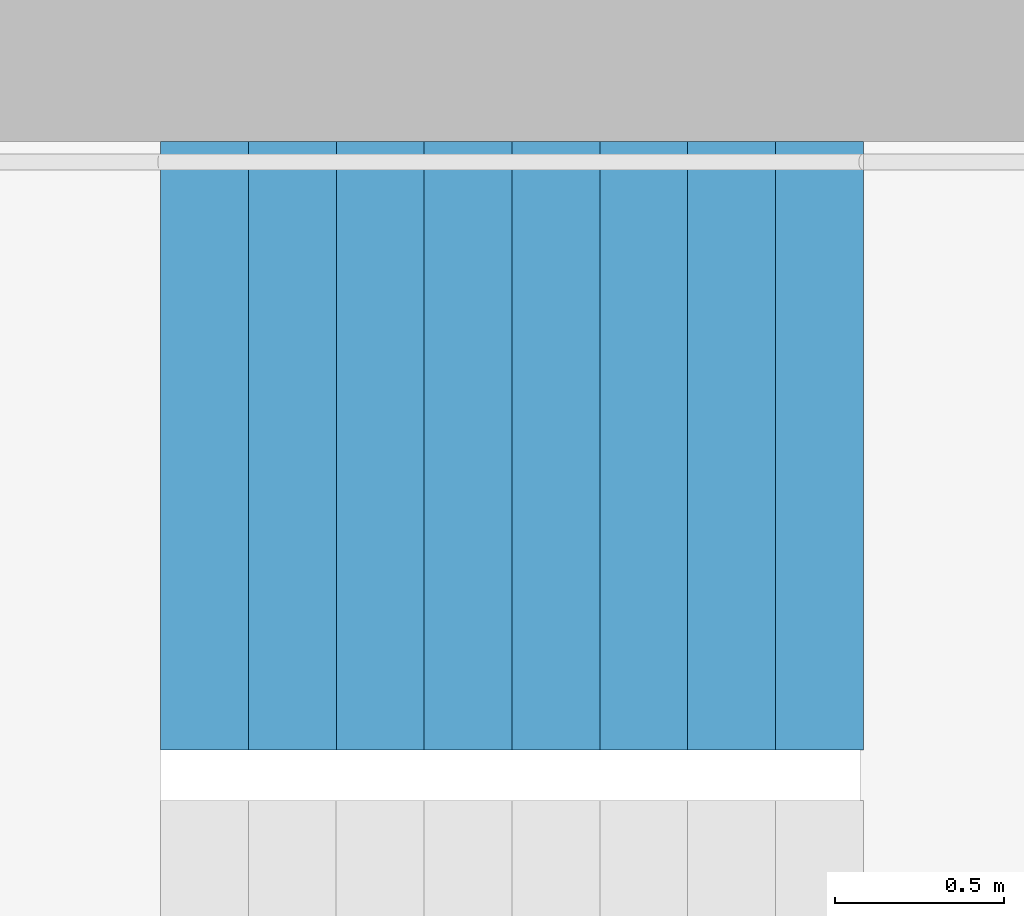
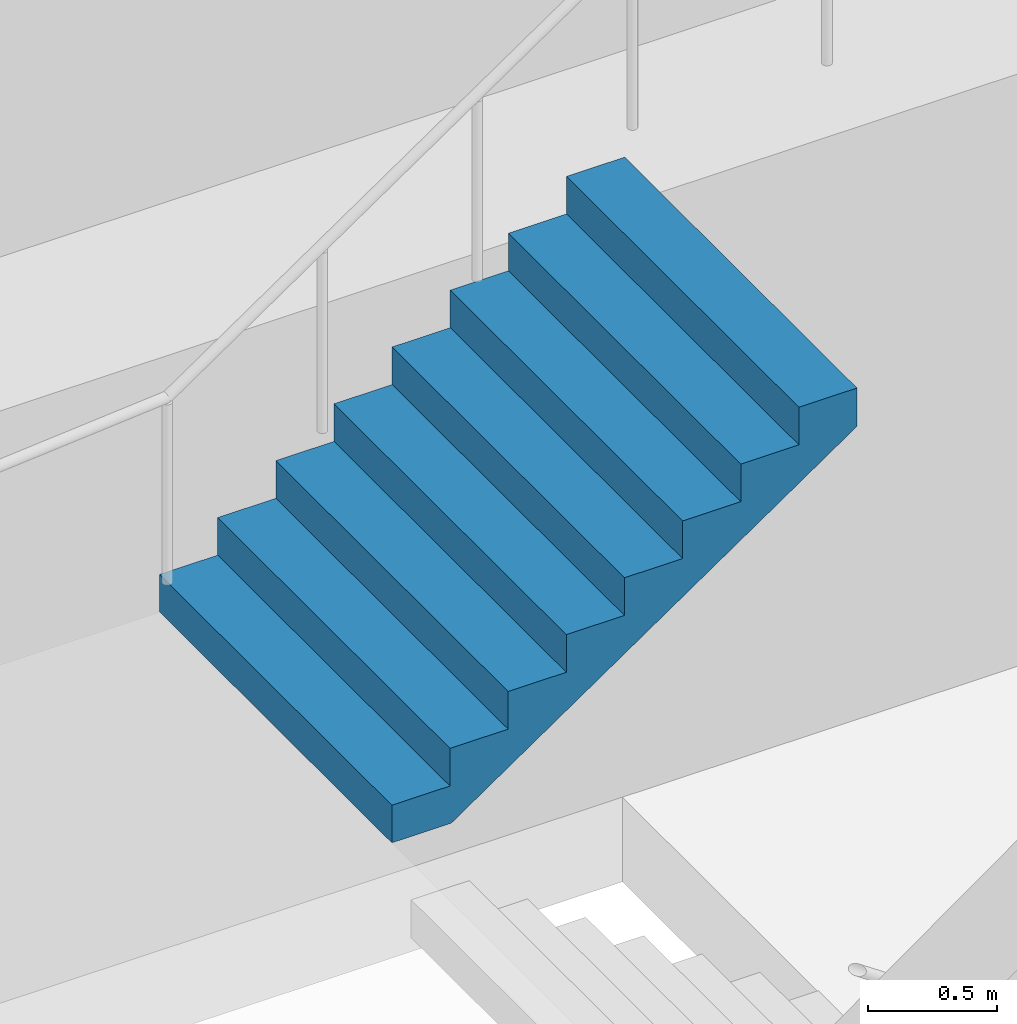
# One storey, part 27 of 28: 1 stair flight, 1 element without a shape of its own.
"""IFC4 building model written with IfcOpenShell, lengths in metres."""

from ifc_helpers import new_model, si_unit, direction, frame, origin, place, context, subcontext, project, spatial, triangles, material, type_object, element, aggregate, save


model = new_model("IFC4")

# Units and contexts
model_context = context("Model", 3, precision=1e-05, world=origin(), true_north=direction((0.0, 1.0)))
body_context = subcontext(model_context, "Body", "Model", "MODEL_VIEW")
ifc_project = project(units=[si_unit("LENGTHUNIT", "METRE"), si_unit("AREAUNIT", "SQUARE_METRE"), si_unit("VOLUMEUNIT", "CUBIC_METRE"), si_unit("PLANEANGLEUNIT", "RADIAN"), si_unit("MASSUNIT", "GRAM", prefix="KILO")], contexts=[model_context])

# Site, building, storey
site_placement = place(None, origin())
site = spatial("IfcSite", under=ifc_project, at=site_placement, CompositionType="ELEMENT")
building_placement = place(site_placement, origin())
building = spatial("IfcBuilding", under=site, at=building_placement, Name="Hakoniwa Tower and Hamabe Station Hall", CompositionType="ELEMENT")
storey_placement = place(building_placement, frame((0.0, 0.0, 58.199951171875)))
storey = spatial("IfcBuildingStorey", under=building, at=storey_placement, Name="L16", CompositionType="ELEMENT", Elevation=58.199951171875)

# Stair, stair flight
ifc_material_1 = material(Name="Concrete C40", Category="concrete")
stair_type = type_object("IfcStairType", Name="ESCAPE STAIR 1800", PredefinedType="HALF_TURN_STAIR", material=ifc_material_1)
stair_placement = place(storey_placement, origin())
stair = element("IfcStair", 1, at=stair_placement, inside=storey, type_object=stair_type, Name="Escape stair ST-3 L16", PredefinedType="HALF_TURN_STAIR")
ifc_material_2 = material(Name="Concrete C40", Category="concrete")
stair_flight_type = type_object("IfcStairFlightType", Name="STAIR FLIGHT 1800", PredefinedType="STRAIGHT", material=ifc_material_2)
stair_flight_placement = place(storey_placement, frame((22.320068359375, 6.60009765625, 1.60009765625), z_axis=(0.0, 0.0, 1.0), x_axis=(1.0, 0.0, 0.0)))
stair_flight = element("IfcStairFlight", 2, at=stair_flight_placement, type_object=stair_flight_type, Name="ST-3 flight 2", NumberOfRisers=9, NumberOfTreads=8, PredefinedType="STRAIGHT", RiserHeight=0.177777778, TreadLength=0.26, context=body_context, shape_type="Tessellation", body=[
    triangles([(0.0, 0.89990234375, 0.0), (0.260009765625, 0.89990234375, 0.0), (0.265625, 0.89990234375, 0.0), (0.52001953125, 0.89990234375, 0.174072265625), (0.780029296875, 0.89990234375, 0.351806640625), (1.0400390625, 0.89990234375, 0.529541015625), (1.300048828125, 0.89990234375, 0.707275390625), (1.56005859375, 0.89990234375, 0.885009765625), (1.820068359375, 0.89990234375, 1.062744140625), (2.080078125, 0.89990234375, 1.24072265625), (2.080078125, 0.89990234375, 1.422119140625), (1.820068359375, 0.89990234375, 1.422119140625), (1.820068359375, 0.89990234375, 1.244384765625), (1.56005859375, 0.89990234375, 1.244384765625), (1.56005859375, 0.89990234375, 1.066650390625), (1.300048828125, 0.89990234375, 1.066650390625), (1.300048828125, 0.89990234375, 0.888916015625), (1.0400390625, 0.89990234375, 0.888916015625), (1.0400390625, 0.89990234375, 0.711181640625), (0.780029296875, 0.89990234375, 0.711181640625), (0.780029296875, 0.89990234375, 0.533447265625), (0.52001953125, 0.89990234375, 0.533447265625), (0.52001953125, 0.89990234375, 0.35546875), (0.265625, 0.89990234375, 0.35546875), (0.260009765625, 0.89990234375, 0.35546875), (0.260009765625, 0.89990234375, 0.177734375), (0.0, 0.89990234375, 0.177734375), (0.0, 0.06005859375, 0.0), (0.260009765625, 0.06005859375, 0.0), (0.265625, 0.06005859375, 0.0), (0.52001953125, 0.06005859375, 0.174072265625), (0.780029296875, 0.06005859375, 0.351806640625), (1.0400390625, 0.06005859375, 0.529541015625), (1.300048828125, 0.06005859375, 0.707275390625), (1.56005859375, 0.06005859375, 0.885009765625), (1.820068359375, 0.06005859375, 1.062744140625), (2.080078125, 0.06005859375, 1.24072265625), (2.080078125, 0.06005859375, 1.422119140625), (1.820068359375, 0.06005859375, 1.422119140625), (1.820068359375, 0.06005859375, 1.244384765625), (1.56005859375, 0.06005859375, 1.244384765625), (1.56005859375, 0.06005859375, 1.066650390625), (1.300048828125, 0.06005859375, 1.066650390625), (1.300048828125, 0.06005859375, 0.888916015625), (1.0400390625, 0.06005859375, 0.888916015625), (1.0400390625, 0.06005859375, 0.711181640625), (0.780029296875, 0.06005859375, 0.711181640625), (0.780029296875, 0.06005859375, 0.533447265625), (0.52001953125, 0.06005859375, 0.533447265625), (0.52001953125, 0.06005859375, 0.35546875), (0.265625, 0.06005859375, 0.35546875), (0.260009765625, 0.06005859375, 0.35546875), (0.260009765625, 0.06005859375, 0.177734375), (0.0, 0.06005859375, 0.177734375), (0.0, 0.04296875, 0.0), (0.260009765625, 0.04296875, 0.0), (0.265625, 0.04296875, 0.0), (0.52001953125, 0.04296875, 0.174072265625), (0.780029296875, 0.04296875, 0.351806640625), (1.0400390625, 0.04296875, 0.529541015625), (1.300048828125, 0.04296875, 0.707275390625), (1.56005859375, 0.04296875, 0.885009765625), (1.820068359375, 0.04296875, 1.062744140625), (2.080078125, 0.04296875, 1.24072265625), (2.080078125, 0.04296875, 1.422119140625), (1.820068359375, 0.04296875, 1.422119140625), (1.820068359375, 0.04296875, 1.244384765625), (1.56005859375, 0.04296875, 1.244384765625), (1.56005859375, 0.04296875, 1.066650390625), (1.300048828125, 0.04296875, 1.066650390625), (1.300048828125, 0.04296875, 0.888916015625), (1.0400390625, 0.04296875, 0.888916015625), (1.0400390625, 0.04296875, 0.711181640625), (0.780029296875, 0.04296875, 0.711181640625), (0.780029296875, 0.04296875, 0.533447265625), (0.52001953125, 0.04296875, 0.533447265625), (0.52001953125, 0.04296875, 0.35546875), (0.265625, 0.04296875, 0.35546875), (0.260009765625, 0.04296875, 0.35546875), (0.260009765625, 0.04296875, 0.177734375), (0.0, 0.04296875, 0.177734375), (0.0, 0.025634765625, 0.0), (0.260009765625, 0.025634765625, 0.0), (0.265625, 0.025634765625, 0.0), (0.52001953125, 0.025634765625, 0.174072265625), (0.780029296875, 0.025634765625, 0.351806640625), (1.0400390625, 0.025634765625, 0.529541015625), (1.300048828125, 0.025634765625, 0.707275390625), (1.56005859375, 0.025634765625, 0.885009765625), (1.820068359375, 0.025634765625, 1.062744140625), (2.080078125, 0.025634765625, 1.24072265625), (2.080078125, 0.025634765625, 1.422119140625), (1.820068359375, 0.025634765625, 1.422119140625), (1.820068359375, 0.025634765625, 1.244384765625), (1.56005859375, 0.025634765625, 1.244384765625), (1.56005859375, 0.025634765625, 1.066650390625), (1.300048828125, 0.025634765625, 1.066650390625), (1.300048828125, 0.025634765625, 0.888916015625), (1.0400390625, 0.025634765625, 0.888916015625), (1.0400390625, 0.025634765625, 0.711181640625), (0.780029296875, 0.025634765625, 0.711181640625), (0.780029296875, 0.025634765625, 0.533447265625), (0.52001953125, 0.025634765625, 0.533447265625), (0.52001953125, 0.025634765625, 0.35546875), (0.265625, 0.025634765625, 0.35546875), (0.260009765625, 0.025634765625, 0.35546875), (0.260009765625, 0.025634765625, 0.177734375), (0.0, 0.025634765625, 0.177734375), (0.0, 0.008544921875, 0.0), (0.260009765625, 0.008544921875, 0.0), (0.265625, 0.008544921875, 0.0), (0.52001953125, 0.008544921875, 0.174072265625), (0.780029296875, 0.008544921875, 0.351806640625), (1.0400390625, 0.008544921875, 0.529541015625), (1.300048828125, 0.008544921875, 0.707275390625), (1.56005859375, 0.008544921875, 0.885009765625), (1.820068359375, 0.008544921875, 1.062744140625), (2.080078125, 0.008544921875, 1.24072265625), (2.080078125, 0.008544921875, 1.422119140625), (1.820068359375, 0.008544921875, 1.422119140625), (1.820068359375, 0.008544921875, 1.244384765625), (1.56005859375, 0.008544921875, 1.244384765625), (1.56005859375, 0.008544921875, 1.066650390625), (1.300048828125, 0.008544921875, 1.066650390625), (1.300048828125, 0.008544921875, 0.888916015625), (1.0400390625, 0.008544921875, 0.888916015625), (1.0400390625, 0.008544921875, 0.711181640625), (0.780029296875, 0.008544921875, 0.711181640625), (0.780029296875, 0.008544921875, 0.533447265625), (0.52001953125, 0.008544921875, 0.533447265625), (0.52001953125, 0.008544921875, 0.35546875), (0.265625, 0.008544921875, 0.35546875), (0.260009765625, 0.008544921875, 0.35546875), (0.260009765625, 0.008544921875, 0.177734375), (0.0, 0.008544921875, 0.177734375), (0.0, -0.008544921875, 0.0), (0.260009765625, -0.008544921875, 0.0), (0.265625, -0.008544921875, 0.0), (0.52001953125, -0.008544921875, 0.174072265625), (0.780029296875, -0.008544921875, 0.351806640625), (1.0400390625, -0.008544921875, 0.529541015625), (1.300048828125, -0.008544921875, 0.707275390625), (1.56005859375, -0.008544921875, 0.885009765625), (1.820068359375, -0.008544921875, 1.062744140625), (2.080078125, -0.008544921875, 1.24072265625), (2.080078125, -0.008544921875, 1.422119140625), (1.820068359375, -0.008544921875, 1.422119140625), (1.820068359375, -0.008544921875, 1.244384765625), (1.56005859375, -0.008544921875, 1.244384765625), (1.56005859375, -0.008544921875, 1.066650390625), (1.300048828125, -0.008544921875, 1.066650390625), (1.300048828125, -0.008544921875, 0.888916015625), (1.0400390625, -0.008544921875, 0.888916015625), (1.0400390625, -0.008544921875, 0.711181640625), (0.780029296875, -0.008544921875, 0.711181640625), (0.780029296875, -0.008544921875, 0.533447265625), (0.52001953125, -0.008544921875, 0.533447265625), (0.52001953125, -0.008544921875, 0.35546875), (0.265625, -0.008544921875, 0.35546875), (0.260009765625, -0.008544921875, 0.35546875), (0.260009765625, -0.008544921875, 0.177734375), (0.0, -0.008544921875, 0.177734375), (0.0, -0.025634765625, 0.0), (0.260009765625, -0.025634765625, 0.0), (0.265625, -0.025634765625, 0.0), (0.52001953125, -0.025634765625, 0.174072265625), (0.780029296875, -0.025634765625, 0.351806640625), (1.0400390625, -0.025634765625, 0.529541015625), (1.300048828125, -0.025634765625, 0.707275390625), (1.56005859375, -0.025634765625, 0.885009765625), (1.820068359375, -0.025634765625, 1.062744140625), (2.080078125, -0.025634765625, 1.24072265625), (2.080078125, -0.025634765625, 1.422119140625), (1.820068359375, -0.025634765625, 1.422119140625), (1.820068359375, -0.025634765625, 1.244384765625), (1.56005859375, -0.025634765625, 1.244384765625), (1.56005859375, -0.025634765625, 1.066650390625), (1.300048828125, -0.025634765625, 1.066650390625), (1.300048828125, -0.025634765625, 0.888916015625), (1.0400390625, -0.025634765625, 0.888916015625), (1.0400390625, -0.025634765625, 0.711181640625), (0.780029296875, -0.025634765625, 0.711181640625), (0.780029296875, -0.025634765625, 0.533447265625), (0.52001953125, -0.025634765625, 0.533447265625), (0.52001953125, -0.025634765625, 0.35546875), (0.265625, -0.025634765625, 0.35546875), (0.260009765625, -0.025634765625, 0.35546875), (0.260009765625, -0.025634765625, 0.177734375), (0.0, -0.025634765625, 0.177734375), (0.0, -0.04296875, 0.0), (0.260009765625, -0.04296875, 0.0), (0.265625, -0.04296875, 0.0), (0.52001953125, -0.04296875, 0.174072265625), (0.780029296875, -0.04296875, 0.351806640625), (1.0400390625, -0.04296875, 0.529541015625), (1.300048828125, -0.04296875, 0.707275390625), (1.56005859375, -0.04296875, 0.885009765625), (1.820068359375, -0.04296875, 1.062744140625), (2.080078125, -0.04296875, 1.24072265625), (2.080078125, -0.04296875, 1.422119140625), (1.820068359375, -0.04296875, 1.422119140625), (1.820068359375, -0.04296875, 1.244384765625), (1.56005859375, -0.04296875, 1.244384765625), (1.56005859375, -0.04296875, 1.066650390625), (1.300048828125, -0.04296875, 1.066650390625), (1.300048828125, -0.04296875, 0.888916015625), (1.0400390625, -0.04296875, 0.888916015625), (1.0400390625, -0.04296875, 0.711181640625), (0.780029296875, -0.04296875, 0.711181640625), (0.780029296875, -0.04296875, 0.533447265625), (0.52001953125, -0.04296875, 0.533447265625), (0.52001953125, -0.04296875, 0.35546875), (0.265625, -0.04296875, 0.35546875), (0.260009765625, -0.04296875, 0.35546875), (0.260009765625, -0.04296875, 0.177734375), (0.0, -0.04296875, 0.177734375), (0.0, -0.06005859375, 0.0), (0.260009765625, -0.06005859375, 0.0), (0.265625, -0.06005859375, 0.0), (0.52001953125, -0.06005859375, 0.174072265625), (0.780029296875, -0.06005859375, 0.351806640625), (1.0400390625, -0.06005859375, 0.529541015625), (1.300048828125, -0.06005859375, 0.707275390625), (1.56005859375, -0.06005859375, 0.885009765625), (1.820068359375, -0.06005859375, 1.062744140625), (2.080078125, -0.06005859375, 1.24072265625), (2.080078125, -0.06005859375, 1.422119140625), (1.820068359375, -0.06005859375, 1.422119140625), (1.820068359375, -0.06005859375, 1.244384765625), (1.56005859375, -0.06005859375, 1.244384765625), (1.56005859375, -0.06005859375, 1.066650390625), (1.300048828125, -0.06005859375, 1.066650390625), (1.300048828125, -0.06005859375, 0.888916015625), (1.0400390625, -0.06005859375, 0.888916015625), (1.0400390625, -0.06005859375, 0.711181640625), (0.780029296875, -0.06005859375, 0.711181640625), (0.780029296875, -0.06005859375, 0.533447265625), (0.52001953125, -0.06005859375, 0.533447265625), (0.52001953125, -0.06005859375, 0.35546875), (0.265625, -0.06005859375, 0.35546875), (0.260009765625, -0.06005859375, 0.35546875), (0.260009765625, -0.06005859375, 0.177734375), (0.0, -0.06005859375, 0.177734375), (0.0, -0.89990234375, 0.0), (0.260009765625, -0.89990234375, 0.0), (0.265625, -0.89990234375, 0.0), (0.52001953125, -0.89990234375, 0.174072265625), (0.780029296875, -0.89990234375, 0.351806640625), (1.0400390625, -0.89990234375, 0.529541015625), (1.300048828125, -0.89990234375, 0.707275390625), (1.56005859375, -0.89990234375, 0.885009765625), (1.820068359375, -0.89990234375, 1.062744140625), (2.080078125, -0.89990234375, 1.24072265625), (2.080078125, -0.89990234375, 1.422119140625), (1.820068359375, -0.89990234375, 1.422119140625), (1.820068359375, -0.89990234375, 1.244384765625), (1.56005859375, -0.89990234375, 1.244384765625), (1.56005859375, -0.89990234375, 1.066650390625), (1.300048828125, -0.89990234375, 1.066650390625), (1.300048828125, -0.89990234375, 0.888916015625), (1.0400390625, -0.89990234375, 0.888916015625), (1.0400390625, -0.89990234375, 0.711181640625), (0.780029296875, -0.89990234375, 0.711181640625), (0.780029296875, -0.89990234375, 0.533447265625), (0.52001953125, -0.89990234375, 0.533447265625), (0.52001953125, -0.89990234375, 0.35546875), (0.265625, -0.89990234375, 0.35546875), (0.260009765625, -0.89990234375, 0.35546875), (0.260009765625, -0.89990234375, 0.177734375), (0.0, -0.89990234375, 0.177734375)], [[2, 27, 26], [245, 269, 270], [2, 1, 27], [245, 270, 244], [3, 25, 24], [246, 267, 268], [3, 26, 25], [246, 268, 269], [3, 2, 26], [246, 269, 245], [4, 24, 23], [247, 266, 267], [4, 3, 24], [247, 267, 246], [5, 22, 21], [248, 264, 265], [5, 23, 22], [248, 265, 266], [5, 4, 23], [248, 266, 247], [6, 20, 19], [249, 262, 263], [6, 21, 20], [249, 263, 264], [6, 5, 21], [249, 264, 248], [7, 18, 17], [250, 260, 261], [7, 19, 18], [250, 261, 262], [7, 6, 19], [250, 262, 249], [8, 16, 15], [251, 258, 259], [8, 17, 16], [251, 259, 260], [8, 7, 17], [251, 260, 250], [9, 14, 13], [252, 256, 257], [9, 15, 14], [252, 257, 258], [9, 8, 15], [252, 258, 251], [10, 12, 11], [253, 254, 255], [10, 13, 12], [253, 255, 256], [10, 9, 13], [253, 256, 252], [1, 2, 29], [1, 29, 28], [28, 29, 56], [28, 56, 55], [55, 56, 83], [55, 83, 82], [82, 83, 110], [82, 110, 109], [109, 110, 137], [109, 137, 136], [136, 137, 164], [136, 164, 163], [163, 164, 191], [163, 191, 190], [190, 191, 218], [190, 218, 217], [217, 218, 245], [217, 245, 244], [2, 3, 30], [2, 30, 29], [29, 30, 57], [29, 57, 56], [56, 57, 84], [56, 84, 83], [83, 84, 111], [83, 111, 110], [110, 111, 138], [110, 138, 137], [137, 138, 165], [137, 165, 164], [164, 165, 192], [164, 192, 191], [191, 192, 219], [191, 219, 218], [218, 219, 246], [218, 246, 245], [3, 4, 31], [3, 31, 30], [30, 31, 58], [30, 58, 57], [57, 58, 85], [57, 85, 84], [84, 85, 112], [84, 112, 111], [111, 112, 139], [111, 139, 138], [138, 139, 166], [138, 166, 165], [165, 166, 193], [165, 193, 192], [192, 193, 220], [192, 220, 219], [219, 220, 247], [219, 247, 246], [4, 5, 32], [4, 32, 31], [31, 32, 59], [31, 59, 58], [58, 59, 86], [58, 86, 85], [85, 86, 113], [85, 113, 112], [112, 113, 140], [112, 140, 139], [139, 140, 167], [139, 167, 166], [166, 167, 194], [166, 194, 193], [193, 194, 221], [193, 221, 220], [220, 221, 248], [220, 248, 247], [5, 6, 33], [5, 33, 32], [32, 33, 60], [32, 60, 59], [59, 60, 87], [59, 87, 86], [86, 87, 114], [86, 114, 113], [113, 114, 141], [113, 141, 140], [140, 141, 168], [140, 168, 167], [167, 168, 195], [167, 195, 194], [194, 195, 222], [194, 222, 221], [221, 222, 249], [221, 249, 248], [6, 7, 34], [6, 34, 33], [33, 34, 61], [33, 61, 60], [60, 61, 88], [60, 88, 87], [87, 88, 115], [87, 115, 114], [114, 115, 142], [114, 142, 141], [141, 142, 169], [141, 169, 168], [168, 169, 196], [168, 196, 195], [195, 196, 223], [195, 223, 222], [222, 223, 250], [222, 250, 249], [7, 8, 35], [7, 35, 34], [34, 35, 62], [34, 62, 61], [61, 62, 89], [61, 89, 88], [88, 89, 116], [88, 116, 115], [115, 116, 143], [115, 143, 142], [142, 143, 170], [142, 170, 169], [169, 170, 197], [169, 197, 196], [196, 197, 224], [196, 224, 223], [223, 224, 251], [223, 251, 250], [8, 9, 36], [8, 36, 35], [35, 36, 63], [35, 63, 62], [62, 63, 90], [62, 90, 89], [89, 90, 117], [89, 117, 116], [116, 117, 144], [116, 144, 143], [143, 144, 171], [143, 171, 170], [170, 171, 198], [170, 198, 197], [197, 198, 225], [197, 225, 224], [224, 225, 252], [224, 252, 251], [9, 10, 37], [9, 37, 36], [36, 37, 64], [36, 64, 63], [63, 64, 91], [63, 91, 90], [90, 91, 118], [90, 118, 117], [117, 118, 145], [117, 145, 144], [144, 145, 172], [144, 172, 171], [171, 172, 199], [171, 199, 198], [198, 199, 226], [198, 226, 225], [225, 226, 253], [225, 253, 252], [10, 11, 38], [10, 38, 37], [37, 38, 65], [37, 65, 64], [64, 65, 92], [64, 92, 91], [91, 92, 119], [91, 119, 118], [118, 119, 146], [118, 146, 145], [145, 146, 173], [145, 173, 172], [172, 173, 200], [172, 200, 199], [199, 200, 227], [199, 227, 226], [226, 227, 254], [226, 254, 253], [11, 12, 39], [11, 39, 38], [38, 39, 66], [38, 66, 65], [65, 66, 93], [65, 93, 92], [92, 93, 120], [92, 120, 119], [119, 120, 147], [119, 147, 146], [146, 147, 174], [146, 174, 173], [173, 174, 201], [173, 201, 200], [200, 201, 228], [200, 228, 227], [227, 228, 255], [227, 255, 254], [12, 13, 40], [12, 40, 39], [39, 40, 67], [39, 67, 66], [66, 67, 94], [66, 94, 93], [93, 94, 121], [93, 121, 120], [120, 121, 148], [120, 148, 147], [147, 148, 175], [147, 175, 174], [174, 175, 202], [174, 202, 201], [201, 202, 229], [201, 229, 228], [228, 229, 256], [228, 256, 255], [13, 14, 41], [13, 41, 40], [40, 41, 68], [40, 68, 67], [67, 68, 95], [67, 95, 94], [94, 95, 122], [94, 122, 121], [121, 122, 149], [121, 149, 148], [148, 149, 176], [148, 176, 175], [175, 176, 203], [175, 203, 202], [202, 203, 230], [202, 230, 229], [229, 230, 257], [229, 257, 256], [14, 15, 42], [14, 42, 41], [41, 42, 69], [41, 69, 68], [68, 69, 96], [68, 96, 95], [95, 96, 123], [95, 123, 122], [122, 123, 150], [122, 150, 149], [149, 150, 177], [149, 177, 176], [176, 177, 204], [176, 204, 203], [203, 204, 231], [203, 231, 230], [230, 231, 258], [230, 258, 257], [15, 16, 43], [15, 43, 42], [42, 43, 70], [42, 70, 69], [69, 70, 97], [69, 97, 96], [96, 97, 124], [96, 124, 123], [123, 124, 151], [123, 151, 150], [150, 151, 178], [150, 178, 177], [177, 178, 205], [177, 205, 204], [204, 205, 232], [204, 232, 231], [231, 232, 259], [231, 259, 258], [16, 17, 44], [16, 44, 43], [43, 44, 71], [43, 71, 70], [70, 71, 98], [70, 98, 97], [97, 98, 125], [97, 125, 124], [124, 125, 152], [124, 152, 151], [151, 152, 179], [151, 179, 178], [178, 179, 206], [178, 206, 205], [205, 206, 233], [205, 233, 232], [232, 233, 260], [232, 260, 259], [17, 18, 45], [17, 45, 44], [44, 45, 72], [44, 72, 71], [71, 72, 99], [71, 99, 98], [98, 99, 126], [98, 126, 125], [125, 126, 153], [125, 153, 152], [152, 153, 180], [152, 180, 179], [179, 180, 207], [179, 207, 206], [206, 207, 234], [206, 234, 233], [233, 234, 261], [233, 261, 260], [18, 19, 46], [18, 46, 45], [45, 46, 73], [45, 73, 72], [72, 73, 100], [72, 100, 99], [99, 100, 127], [99, 127, 126], [126, 127, 154], [126, 154, 153], [153, 154, 181], [153, 181, 180], [180, 181, 208], [180, 208, 207], [207, 208, 235], [207, 235, 234], [234, 235, 262], [234, 262, 261], [19, 20, 47], [19, 47, 46], [46, 47, 74], [46, 74, 73], [73, 74, 101], [73, 101, 100], [100, 101, 128], [100, 128, 127], [127, 128, 155], [127, 155, 154], [154, 155, 182], [154, 182, 181], [181, 182, 209], [181, 209, 208], [208, 209, 236], [208, 236, 235], [235, 236, 263], [235, 263, 262], [20, 21, 48], [20, 48, 47], [47, 48, 75], [47, 75, 74], [74, 75, 102], [74, 102, 101], [101, 102, 129], [101, 129, 128], [128, 129, 156], [128, 156, 155], [155, 156, 183], [155, 183, 182], [182, 183, 210], [182, 210, 209], [209, 210, 237], [209, 237, 236], [236, 237, 264], [236, 264, 263], [21, 22, 49], [21, 49, 48], [48, 49, 76], [48, 76, 75], [75, 76, 103], [75, 103, 102], [102, 103, 130], [102, 130, 129], [129, 130, 157], [129, 157, 156], [156, 157, 184], [156, 184, 183], [183, 184, 211], [183, 211, 210], [210, 211, 238], [210, 238, 237], [237, 238, 265], [237, 265, 264], [22, 23, 50], [22, 50, 49], [49, 50, 77], [49, 77, 76], [76, 77, 104], [76, 104, 103], [103, 104, 131], [103, 131, 130], [130, 131, 158], [130, 158, 157], [157, 158, 185], [157, 185, 184], [184, 185, 212], [184, 212, 211], [211, 212, 239], [211, 239, 238], [238, 239, 266], [238, 266, 265], [23, 24, 51], [23, 51, 50], [50, 51, 78], [50, 78, 77], [77, 78, 105], [77, 105, 104], [104, 105, 132], [104, 132, 131], [131, 132, 159], [131, 159, 158], [158, 159, 186], [158, 186, 185], [185, 186, 213], [185, 213, 212], [212, 213, 240], [212, 240, 239], [239, 240, 267], [239, 267, 266], [24, 25, 52], [24, 52, 51], [51, 52, 79], [51, 79, 78], [78, 79, 106], [78, 106, 105], [105, 106, 133], [105, 133, 132], [132, 133, 160], [132, 160, 159], [159, 160, 187], [159, 187, 186], [186, 187, 214], [186, 214, 213], [213, 214, 241], [213, 241, 240], [240, 241, 268], [240, 268, 267], [25, 26, 53], [25, 53, 52], [52, 53, 80], [52, 80, 79], [79, 80, 107], [79, 107, 106], [106, 107, 134], [106, 134, 133], [133, 134, 161], [133, 161, 160], [160, 161, 188], [160, 188, 187], [187, 188, 215], [187, 215, 214], [214, 215, 242], [214, 242, 241], [241, 242, 269], [241, 269, 268], [26, 27, 54], [26, 54, 53], [53, 54, 81], [53, 81, 80], [80, 81, 108], [80, 108, 107], [107, 108, 135], [107, 135, 134], [134, 135, 162], [134, 162, 161], [161, 162, 189], [161, 189, 188], [188, 189, 216], [188, 216, 215], [215, 216, 243], [215, 243, 242], [242, 243, 270], [242, 270, 269], [27, 1, 28], [27, 28, 54], [54, 28, 55], [54, 55, 81], [81, 55, 82], [81, 82, 108], [108, 82, 109], [108, 109, 135], [135, 109, 136], [135, 136, 162], [162, 136, 163], [162, 163, 189], [189, 163, 190], [189, 190, 216], [216, 190, 217], [216, 217, 243], [243, 217, 244], [243, 244, 270]], closed=True),
])
aggregate(stair, [stair_flight])

save(model, "model.ifc")
